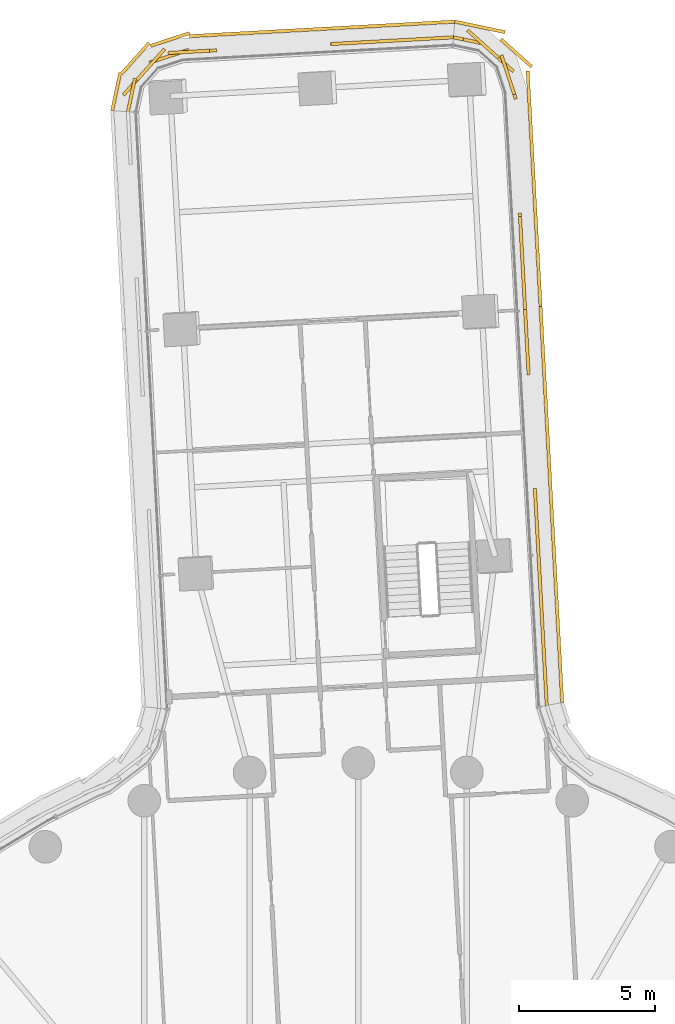
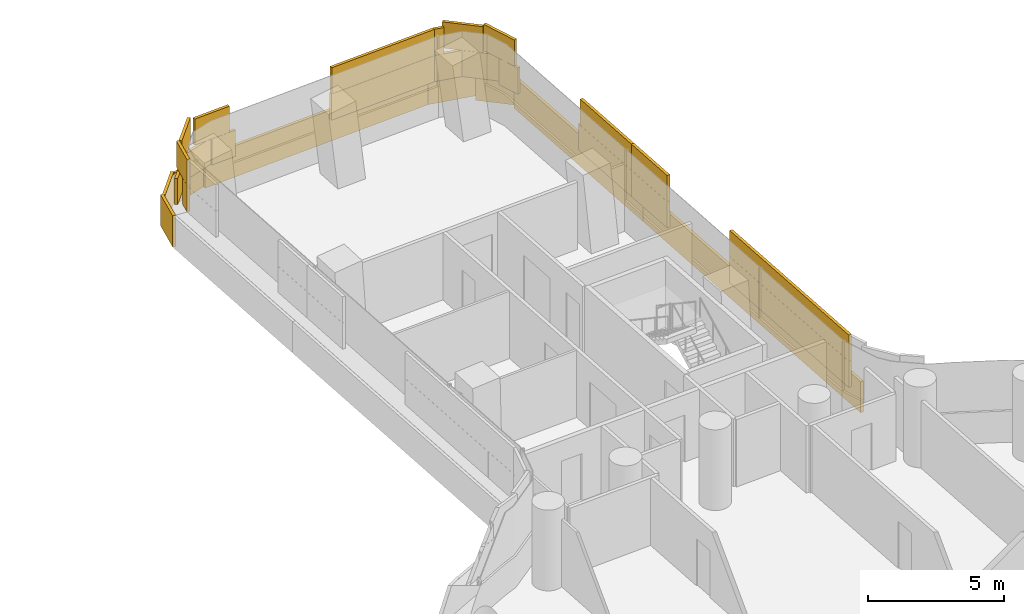
# One storey, part 31 of 31: 3 coverings.
"""IFC4 building model written with IfcOpenShell, lengths in metres."""

from ifc_helpers import new_model, si_unit, direction, frame, origin, origin_2d, place, context, subcontext, project, spatial, rectangle, extrude, material, layer, layer_set, type_object, element, save


model = new_model("IFC4")

# Units and contexts
model_context = context("Model", 3, precision=1e-05, world=origin(), true_north=direction((0.0, 1.0)))
body_context = subcontext(model_context, "Body", "Model", "MODEL_VIEW")
ifc_project = project(units=[si_unit("LENGTHUNIT", "METRE"), si_unit("AREAUNIT", "SQUARE_METRE"), si_unit("VOLUMEUNIT", "CUBIC_METRE"), si_unit("PLANEANGLEUNIT", "RADIAN"), si_unit("MASSUNIT", "GRAM", prefix="KILO")], contexts=[model_context])

# Site, building, storey
site_placement = place(None, origin())
site = spatial("IfcSite", under=ifc_project, at=site_placement, CompositionType="ELEMENT")
building_placement = place(site_placement, origin())
building = spatial("IfcBuilding", under=site, at=building_placement, Name="Tamarind Cross Interchange Tower", CompositionType="ELEMENT")
storey_placement = place(building_placement, frame((0.0, 0.0, 45.25)))
storey = spatial("IfcBuildingStorey", under=building, at=storey_placement, Name="L09", CompositionType="ELEMENT", Elevation=45.25)

# Coverings
ifc_material = material(Name="Terracotta", Category="masonry")
ifc_layer = layer(ifc_material, 0.1201171875)
ifc_layer_set = layer_set([ifc_layer], Name="Terracotta")
covering_type = type_object("IfcCoveringType", Name="Terracotta baguette screen unit", PredefinedType="MOLDING", material=ifc_layer_set)
covering_1_placement = place(storey_placement, origin())
element("IfcCovering", 1, at=covering_1_placement, inside=storey, type_object=covering_type, Name="SCR-L09-11-00", PredefinedType="MOLDING", context=body_context, shape_type="SweptSolid", body=[
    extrude(rectangle(XDim=0.760009765625, YDim=0.1201171875, at=origin_2d()), frame((6.909423828125, 25.489501953125, 1.404052734375), z_axis=(0.0, 0.0, 1.0), x_axis=(-0.054678317891, 0.998504021801, 0.0)), (0.0, 0.0, 1.0), 1.1669921875),
    extrude(rectangle(XDim=1.52001953125, YDim=0.1201171875, at=origin_2d()), frame((6.847900390625, 26.61279296875, 1.404052734375), z_axis=(0.0, 0.0, 1.0), x_axis=(-0.054678317891, 0.998504021801, 0.0)), (0.0, 0.0, 1.0), 1.1669921875),
    extrude(rectangle(XDim=1.52001953125, YDim=0.1201171875, at=origin_2d()), frame((6.76611328125, 28.110595703125, 1.404052734375), z_axis=(0.0, 0.0, 1.0), x_axis=(-0.054678317891, 0.998504021801, 0.0)), (0.0, 0.0, 1.0), 1.1669921875),
    extrude(rectangle(XDim=1.52001953125, YDim=0.1201171875, at=origin_2d()), frame((6.68408203125, 29.6083984375, 1.404052734375), z_axis=(0.0, 0.0, 1.0), x_axis=(-0.054678317891, 0.998504021801, 0.0)), (0.0, 0.0, 1.0), 1.1669921875),
    extrude(rectangle(XDim=1.52001953125, YDim=0.1201171875, at=origin_2d()), frame((6.60205078125, 31.106201171875, 1.404052734375), z_axis=(0.0, 0.0, 1.0), x_axis=(-0.054678317891, 0.998504021801, 0.0)), (0.0, 0.0, 1.0), 1.1669921875),
    extrude(rectangle(XDim=1.240234375, YDim=0.1201171875, at=origin_2d()), frame((6.52734375, 32.46923828125, 1.404052734375), z_axis=(0.0, 0.0, 1.0), x_axis=(-0.054678317891, 0.998504021801, 0.0)), (0.0, 0.0, 1.0), 1.1669921875),
    extrude(rectangle(XDim=0.579833984375, YDim=0.1201171875, at=origin_2d()), frame((6.24853515625, 37.5615234375, 1.404052734375), z_axis=(0.0, 0.0, 1.0), x_axis=(-0.054678317891, 0.998504021801, 0.0)), (0.0, 0.0, 1.0), 1.1669921875),
    extrude(rectangle(XDim=1.52001953125, YDim=0.1201171875, at=origin_2d()), frame((6.19189453125, 38.594970703125, 1.404052734375), z_axis=(0.0, 0.0, 1.0), x_axis=(-0.054678317891, 0.998504021801, 0.0)), (0.0, 0.0, 1.0), 1.1669921875),
    extrude(rectangle(XDim=0.34033203125, YDim=0.1201171875, at=origin_2d()), frame((6.141845703125, 39.5087890625, 1.404052734375), z_axis=(0.0, 0.0, 1.0), x_axis=(-0.054678317891, 0.998504021801, 0.0)), (0.0, 0.0, 1.0), 1.1669921875),
    extrude(rectangle(XDim=1.510009765625, YDim=0.1201171875, at=origin_2d()), frame((6.888916015625, 25.864013671875, 2.5791015625), z_axis=(0.0, 0.0, 1.0), x_axis=(-0.054678317891, 0.998504021801, 0.0)), (0.0, 0.0, 1.0), 1.1669921875),
    extrude(rectangle(XDim=1.52001953125, YDim=0.1201171875, at=origin_2d()), frame((6.80712890625, 27.36181640625, 2.5791015625), z_axis=(0.0, 0.0, 1.0), x_axis=(-0.054678317891, 0.998504021801, 0.0)), (0.0, 0.0, 1.0), 1.1669921875),
    extrude(rectangle(XDim=1.52001953125, YDim=0.1201171875, at=origin_2d()), frame((6.72509765625, 28.859619140625, 2.5791015625), z_axis=(0.0, 0.0, 1.0), x_axis=(-0.054678317891, 0.998504021801, 0.0)), (0.0, 0.0, 1.0), 1.1669921875),
    extrude(rectangle(XDim=1.52001953125, YDim=0.1201171875, at=origin_2d()), frame((6.64306640625, 30.357177734375, 2.5791015625), z_axis=(0.0, 0.0, 1.0), x_axis=(-0.054678317891, 0.998504021801, 0.0)), (0.0, 0.0, 1.0), 1.1669921875),
    extrude(rectangle(XDim=1.52001953125, YDim=0.1201171875, at=origin_2d()), frame((6.56103515625, 31.85498046875, 2.5791015625), z_axis=(0.0, 0.0, 1.0), x_axis=(-0.054678317891, 0.998504021801, 0.0)), (0.0, 0.0, 1.0), 1.1669921875),
    extrude(rectangle(XDim=0.490234375, YDim=0.1201171875, at=origin_2d()), frame((6.5068359375, 32.84375, 2.5791015625), z_axis=(0.0, 0.0, 1.0), x_axis=(-0.054678317891, 0.998504021801, 0.0)), (0.0, 0.0, 1.0), 1.1669921875),
    extrude(rectangle(XDim=1.329833984375, YDim=0.1201171875, at=origin_2d()), frame((6.22802734375, 37.93603515625, 2.5791015625), z_axis=(0.0, 0.0, 1.0), x_axis=(-0.054678317891, 0.998504021801, 0.0)), (0.0, 0.0, 1.0), 1.1669921875),
    extrude(rectangle(XDim=1.09033203125, YDim=0.1201171875, at=origin_2d()), frame((6.162353515625, 39.13427734375, 2.5791015625), z_axis=(0.0, 0.0, 1.0), x_axis=(-0.054678317891, 0.998504021801, 0.0)), (0.0, 0.0, 1.0), 1.1669921875),
    extrude(rectangle(XDim=0.760009765625, YDim=0.1201171875, at=origin_2d()), frame((7.478271484375, 25.600830078125, 0.00390625), z_axis=(0.0, 0.0, 1.0), x_axis=(-0.054678317891, 0.998504021801, 0.0)), (0.0, 0.0, 1.0), 1.39208984375),
    extrude(rectangle(XDim=1.52001953125, YDim=0.1201171875, at=origin_2d()), frame((7.4169921875, 26.71923828125, 0.00390625), z_axis=(0.0, 0.0, 1.0), x_axis=(-0.054678317891, 0.998504021801, 0.0)), (0.0, 0.0, 1.0), 1.39208984375),
    extrude(rectangle(XDim=1.52001953125, YDim=0.1201171875, at=origin_2d()), frame((7.3349609375, 28.216796875, 0.00390625), z_axis=(0.0, 0.0, 1.0), x_axis=(-0.054678317891, 0.998504021801, 0.0)), (0.0, 0.0, 1.0), 1.39208984375),
    extrude(rectangle(XDim=1.52001953125, YDim=0.1201171875, at=origin_2d()), frame((7.2529296875, 29.714599609375, 0.00390625), z_axis=(0.0, 0.0, 1.0), x_axis=(-0.054678317891, 0.998504021801, 0.0)), (0.0, 0.0, 1.0), 1.39208984375),
    extrude(rectangle(XDim=1.52001953125, YDim=0.1201171875, at=origin_2d()), frame((7.1708984375, 31.21240234375, 0.00390625), z_axis=(0.0, 0.0, 1.0), x_axis=(-0.054678317891, 0.998504021801, 0.0)), (0.0, 0.0, 1.0), 1.39208984375),
    extrude(rectangle(XDim=1.52001953125, YDim=0.1201171875, at=origin_2d()), frame((7.089111328125, 32.710205078125, 0.00390625), z_axis=(0.0, 0.0, 1.0), x_axis=(-0.054678317891, 0.998504021801, 0.0)), (0.0, 0.0, 1.0), 1.39208984375),
    extrude(rectangle(XDim=1.52001953125, YDim=0.1201171875, at=origin_2d()), frame((7.007080078125, 34.2080078125, 0.00390625), z_axis=(0.0, 0.0, 1.0), x_axis=(-0.054678317891, 0.998504021801, 0.0)), (0.0, 0.0, 1.0), 1.39208984375),
    extrude(rectangle(XDim=1.52001953125, YDim=0.1201171875, at=origin_2d()), frame((6.925048828125, 35.70556640625, 0.00390625), z_axis=(0.0, 0.0, 1.0), x_axis=(-0.054678317891, 0.998504021801, 0.0)), (0.0, 0.0, 1.0), 1.39208984375),
    extrude(rectangle(XDim=1.52001953125, YDim=0.1201171875, at=origin_2d()), frame((6.843017578125, 37.203369140625, 0.00390625), z_axis=(0.0, 0.0, 1.0), x_axis=(-0.054678317891, 0.998504021801, 0.0)), (0.0, 0.0, 1.0), 1.39208984375),
    extrude(rectangle(XDim=1.52001953125, YDim=0.1201171875, at=origin_2d()), frame((6.760986328125, 38.701171875, 0.00390625), z_axis=(0.0, 0.0, 1.0), x_axis=(-0.054678317891, 0.998504021801, 0.0)), (0.0, 0.0, 1.0), 1.39208984375),
    extrude(rectangle(XDim=0.340576171875, YDim=0.1201171875, at=origin_2d()), frame((6.711181640625, 39.610107421875, 0.00390625), z_axis=(0.0, 0.0, 1.0), x_axis=(-0.054678317891, 0.998504021801, 0.0)), (0.0, 0.0, 1.0), 1.39208984375),
])
covering_2_placement = place(storey_placement, origin())
element("IfcCovering", 2, at=covering_2_placement, inside=storey, type_object=covering_type, Name="SCR-L09-11-01", PredefinedType="MOLDING", context=body_context, shape_type="SweptSolid", body=[
    extrude(rectangle(XDim=1.1796875, YDim=0.1201171875, at=origin_2d()), frame((6.100830078125, 40.257568359375, 1.404052734375), z_axis=(0.0, 0.0, 1.0), x_axis=(-0.054678317891, 0.998504021801, 0.0)), (0.0, 0.0, 1.0), 1.1669921875),
    extrude(rectangle(XDim=1.52001953125, YDim=0.1201171875, at=origin_2d()), frame((6.02783203125, 41.59033203125, 1.404052734375), z_axis=(0.0, 0.0, 1.0), x_axis=(-0.054678317891, 0.998504021801, 0.0)), (0.0, 0.0, 1.0), 1.1669921875),
    extrude(rectangle(XDim=0.881103515625, YDim=0.1201171875, at=origin_2d()), frame((5.963134765625, 42.774169921875, 1.404052734375), z_axis=(0.0, 0.0, 1.0), x_axis=(-0.054678317891, 0.998504021801, 0.0)), (0.0, 0.0, 1.0), 1.1669921875),
    extrude(rectangle(XDim=0.93896484375, YDim=0.1201171875, at=origin_2d()), frame((5.645751953125, 47.859375, 1.404052734375), z_axis=(0.0, 0.0, 1.0), x_axis=(-0.311247056843, 0.950329032287, 0.0)), (0.0, 0.0, 1.0), 1.1669921875),
    extrude(rectangle(XDim=1.52001953125, YDim=0.1201171875, at=origin_2d()), frame((5.140625, 48.9306640625, 1.404052734375), z_axis=(0.0, 0.0, 1.0), x_axis=(-0.744712374222, 0.667385555493, 0.0)), (0.0, 0.0, 1.0), 1.1669921875),
    extrude(rectangle(XDim=1.121826171875, YDim=0.1201171875, at=origin_2d()), frame((4.047607421875, 49.564208984375, 1.404052734375), z_axis=(0.0, 0.0, 1.0), x_axis=(-0.978632612335, 0.205616658064, 0.0)), (0.0, 0.0, 1.0), 1.1669921875),
    extrude(rectangle(XDim=0.4296875, YDim=0.1201171875, at=origin_2d()), frame((6.121337890625, 39.883056640625, 2.5791015625), z_axis=(0.0, 0.0, 1.0), x_axis=(-0.054678317891, 0.998504021801, 0.0)), (0.0, 0.0, 1.0), 1.1669921875),
    extrude(rectangle(XDim=1.52001953125, YDim=0.1201171875, at=origin_2d()), frame((6.06884765625, 40.841552734375, 2.5791015625), z_axis=(0.0, 0.0, 1.0), x_axis=(-0.054678317891, 0.998504021801, 0.0)), (0.0, 0.0, 1.0), 1.1669921875),
    extrude(rectangle(XDim=1.52001953125, YDim=0.1201171875, at=origin_2d()), frame((5.98681640625, 42.33935546875, 2.5791015625), z_axis=(0.0, 0.0, 1.0), x_axis=(-0.054678317891, 0.998504021801, 0.0)), (0.0, 0.0, 1.0), 1.1669921875),
    extrude(rectangle(XDim=1.52001953125, YDim=0.1201171875, at=origin_2d()), frame((5.501220703125, 48.30078125, 2.5791015625), z_axis=(0.0, 0.0, 1.0), x_axis=(-0.311247056843, 0.950329032287, 0.0)), (0.0, 0.0, 1.0), 1.1669921875),
    extrude(rectangle(XDim=1.52001953125, YDim=0.1201171875, at=origin_2d()), frame((4.582275390625, 49.43115234375, 2.5791015625), z_axis=(0.0, 0.0, 1.0), x_axis=(-0.744712374222, 0.667385555493, 0.0)), (0.0, 0.0, 1.0), 1.1669921875),
    extrude(rectangle(XDim=0.371826171875, YDim=0.1201171875, at=origin_2d()), frame((3.6806640625, 49.64111328125, 2.5791015625), z_axis=(0.0, 0.0, 1.0), x_axis=(-0.978632612335, 0.205616658064, 0.0)), (0.0, 0.0, 1.0), 1.1669921875),
    extrude(rectangle(XDim=1.179443359375, YDim=0.1201171875, at=origin_2d()), frame((6.669677734375, 40.368896484375, 0.00390625), z_axis=(0.0, 0.0, 1.0), x_axis=(-0.054678317891, 0.998504021801, 0.0)), (0.0, 0.0, 1.0), 1.39208984375),
    extrude(rectangle(XDim=1.52001953125, YDim=0.1201171875, at=origin_2d()), frame((6.596923828125, 41.69677734375, 0.00390625), z_axis=(0.0, 0.0, 1.0), x_axis=(-0.054678317891, 0.998504021801, 0.0)), (0.0, 0.0, 1.0), 1.39208984375),
    extrude(rectangle(XDim=1.52001953125, YDim=0.1201171875, at=origin_2d()), frame((6.514892578125, 43.194580078125, 0.00390625), z_axis=(0.0, 0.0, 1.0), x_axis=(-0.054678317891, 0.998504021801, 0.0)), (0.0, 0.0, 1.0), 1.39208984375),
    extrude(rectangle(XDim=1.52001953125, YDim=0.1201171875, at=origin_2d()), frame((6.432861328125, 44.692138671875, 0.00390625), z_axis=(0.0, 0.0, 1.0), x_axis=(-0.054678317891, 0.998504021801, 0.0)), (0.0, 0.0, 1.0), 1.39208984375),
    extrude(rectangle(XDim=1.52001953125, YDim=0.1201171875, at=origin_2d()), frame((6.350830078125, 46.18994140625, 0.00390625), z_axis=(0.0, 0.0, 1.0), x_axis=(-0.054678317891, 0.998504021801, 0.0)), (0.0, 0.0, 1.0), 1.39208984375),
    extrude(rectangle(XDim=1.52001953125, YDim=0.1201171875, at=origin_2d()), frame((6.268798828125, 47.687744140625, 0.00390625), z_axis=(0.0, 0.0, 1.0), x_axis=(-0.054678317891, 0.998504021801, 0.0)), (0.0, 0.0, 1.0), 1.39208984375),
    extrude(rectangle(XDim=1.52001953125, YDim=0.1201171875, at=origin_2d()), frame((5.8095703125, 49.10205078125, 0.00390625), z_axis=(0.0, 0.0, 1.0), x_axis=(-0.744712374222, 0.667385555493, 0.0)), (0.0, 0.0, 1.0), 1.39208984375),
    extrude(rectangle(XDim=1.52001953125, YDim=0.1201171875, at=origin_2d()), frame((4.65234375, 50.023681640625, 0.00390625), z_axis=(0.0, 0.0, 1.0), x_axis=(-0.978632612335, 0.205616658064, 0.0)), (0.0, 0.0, 1.0), 1.39208984375),
    extrude(rectangle(XDim=0.388671875, YDim=0.1201171875, at=origin_2d()), frame((3.738037109375, 50.2158203125, 0.00390625), z_axis=(0.0, 0.0, 1.0), x_axis=(-0.978632612335, 0.205616658064, 0.0)), (0.0, 0.0, 1.0), 1.39208984375),
])
covering_3_placement = place(storey_placement, origin())
element("IfcCovering", 3, at=covering_3_placement, inside=storey, type_object=covering_type, Name="SCR-L09-12-00", PredefinedType="MOLDING", context=body_context, shape_type="SweptSolid", body=[
    extrude(rectangle(XDim=0.760009765625, YDim=0.1201171875, at=origin_2d()), frame((3.129150390625, 49.657958984375, 1.404052734375), z_axis=(0.0, 0.0, 1.0), x_axis=(-0.998504021801, -0.054678317891, 0.0)), (0.0, 0.0, 1.0), 1.1669921875),
    extrude(rectangle(XDim=1.52001953125, YDim=0.1201171875, at=origin_2d()), frame((2.005859375, 49.596435546875, 1.404052734375), z_axis=(0.0, 0.0, 1.0), x_axis=(-0.998504021801, -0.054678317891, 0.0)), (0.0, 0.0, 1.0), 1.1669921875),
    extrude(rectangle(XDim=1.52001953125, YDim=0.1201171875, at=origin_2d()), frame((0.508056640625, 49.514404296875, 1.404052734375), z_axis=(0.0, 0.0, 1.0), x_axis=(-0.998504021801, -0.054678317891, 0.0)), (0.0, 0.0, 1.0), 1.1669921875),
    extrude(rectangle(XDim=0.784912109375, YDim=0.1201171875, at=origin_2d()), frame((-0.62744140625, 49.4521484375, 1.404052734375), z_axis=(0.0, 0.0, 1.0), x_axis=(-0.998504021801, -0.054678317891, 0.0)), (0.0, 0.0, 1.0), 1.1669921875),
    extrude(rectangle(XDim=1.03515625, YDim=0.1201171875, at=origin_2d()), frame((-5.719970703125, 49.17333984375, 1.404052734375), z_axis=(0.0, 0.0, 1.0), x_axis=(-0.998504021801, -0.054678317891, 0.0)), (0.0, 0.0, 1.0), 1.1669921875),
    extrude(rectangle(XDim=1.52001953125, YDim=0.1201171875, at=origin_2d()), frame((-6.957763671875, 48.982177734375, 1.404052734375), z_axis=(0.0, 0.0, 1.0), x_axis=(-0.950329032287, -0.311247056843, 0.0)), (0.0, 0.0, 1.0), 1.1669921875),
    extrude(rectangle(XDim=1.52001953125, YDim=0.1201171875, at=origin_2d()), frame((-8.127197265625, 48.122802734375, 1.404052734375), z_axis=(0.0, 0.0, 1.0), x_axis=(-0.667385555493, -0.744712374222, 0.0)), (0.0, 0.0, 1.0), 1.1669921875),
    extrude(rectangle(XDim=0.509521484375, YDim=0.1201171875, at=origin_2d()), frame((-8.4150390625, 47.186279296875, 1.404052734375), z_axis=(0.0, 0.0, 1.0), x_axis=(-0.205616658064, -0.978632612335, 0.0)), (0.0, 0.0, 1.0), 1.1669921875),
    extrude(rectangle(XDim=1.510009765625, YDim=0.1201171875, at=origin_2d()), frame((2.7548828125, 49.637451171875, 2.5791015625), z_axis=(0.0, 0.0, 1.0), x_axis=(-0.998504021801, -0.054678317891, 0.0)), (0.0, 0.0, 1.0), 1.1669921875),
    extrude(rectangle(XDim=1.52001953125, YDim=0.1201171875, at=origin_2d()), frame((1.257080078125, 49.555419921875, 2.5791015625), z_axis=(0.0, 0.0, 1.0), x_axis=(-0.998504021801, -0.054678317891, 0.0)), (0.0, 0.0, 1.0), 1.1669921875),
    extrude(rectangle(XDim=1.52001953125, YDim=0.1201171875, at=origin_2d()), frame((-0.24072265625, 49.473388671875, 2.5791015625), z_axis=(0.0, 0.0, 1.0), x_axis=(-0.998504021801, -0.054678317891, 0.0)), (0.0, 0.0, 1.0), 1.1669921875),
    extrude(rectangle(XDim=1.52001953125, YDim=0.1201171875, at=origin_2d()), frame((-6.231689453125, 49.145263671875, 2.5791015625), z_axis=(0.0, 0.0, 1.0), x_axis=(-0.998504021801, -0.054678317891, 0.0)), (0.0, 0.0, 1.0), 1.1669921875),
    extrude(rectangle(XDim=1.52001953125, YDim=0.1201171875, at=origin_2d()), frame((-7.62646484375, 48.681396484375, 2.5791015625), z_axis=(0.0, 0.0, 1.0), x_axis=(-0.667385555493, -0.744712374222, 0.0)), (0.0, 0.0, 1.0), 1.1669921875),
    extrude(rectangle(XDim=1.259521484375, YDim=0.1201171875, at=origin_2d()), frame((-8.337890625, 47.55322265625, 2.5791015625), z_axis=(0.0, 0.0, 1.0), x_axis=(-0.205616658064, -0.978632612335, 0.0)), (0.0, 0.0, 1.0), 1.1669921875),
    extrude(rectangle(XDim=0.760009765625, YDim=0.1201171875, at=origin_2d()), frame((3.168212890625, 50.23486328125, 0.00390625), z_axis=(0.0, 0.0, 1.0), x_axis=(-0.998504021801, -0.054678317891, 0.0)), (0.0, 0.0, 1.0), 1.39208984375),
    extrude(rectangle(XDim=1.52001953125, YDim=0.1201171875, at=origin_2d()), frame((2.050048828125, 50.173583984375, 0.00390625), z_axis=(0.0, 0.0, 1.0), x_axis=(-0.998504021801, -0.054678317891, 0.0)), (0.0, 0.0, 1.0), 1.39208984375),
    extrude(rectangle(XDim=1.52001953125, YDim=0.1201171875, at=origin_2d()), frame((0.55224609375, 50.091552734375, 0.00390625), z_axis=(0.0, 0.0, 1.0), x_axis=(-0.998504021801, -0.054678317891, 0.0)), (0.0, 0.0, 1.0), 1.39208984375),
    extrude(rectangle(XDim=1.52001953125, YDim=0.1201171875, at=origin_2d()), frame((-0.945556640625, 50.009765625, 0.00390625), z_axis=(0.0, 0.0, 1.0), x_axis=(-0.998504021801, -0.054678317891, 0.0)), (0.0, 0.0, 1.0), 1.39208984375),
    extrude(rectangle(XDim=1.52001953125, YDim=0.1201171875, at=origin_2d()), frame((-2.443359375, 49.927734375, 0.00390625), z_axis=(0.0, 0.0, 1.0), x_axis=(-0.998504021801, -0.054678317891, 0.0)), (0.0, 0.0, 1.0), 1.39208984375),
    extrude(rectangle(XDim=1.52001953125, YDim=0.1201171875, at=origin_2d()), frame((-3.94091796875, 49.845703125, 0.00390625), z_axis=(0.0, 0.0, 1.0), x_axis=(-0.998504021801, -0.054678317891, 0.0)), (0.0, 0.0, 1.0), 1.39208984375),
    extrude(rectangle(XDim=1.52001953125, YDim=0.1201171875, at=origin_2d()), frame((-5.438720703125, 49.763671875, 0.00390625), z_axis=(0.0, 0.0, 1.0), x_axis=(-0.998504021801, -0.054678317891, 0.0)), (0.0, 0.0, 1.0), 1.39208984375),
    extrude(rectangle(XDim=1.52001953125, YDim=0.1201171875, at=origin_2d()), frame((-6.9208984375, 49.59814453125, 0.00390625), z_axis=(0.0, 0.0, 1.0), x_axis=(-0.950329032287, -0.311247056843, 0.0)), (0.0, 0.0, 1.0), 1.39208984375),
    extrude(rectangle(XDim=1.52001953125, YDim=0.1201171875, at=origin_2d()), frame((-8.197998046875, 48.90380859375, 0.00390625), z_axis=(0.0, 0.0, 1.0), x_axis=(-0.667385555493, -0.744712374222, 0.0)), (0.0, 0.0, 1.0), 1.39208984375),
    extrude(rectangle(XDim=1.426513671875, YDim=0.1201171875, at=origin_2d()), frame((-8.89697265625, 47.684326171875, 0.00390625), z_axis=(0.0, 0.0, 1.0), x_axis=(-0.205616658064, -0.978632612335, 0.0)), (0.0, 0.0, 1.0), 1.39208984375),
])

save(model, "model.ifc")
